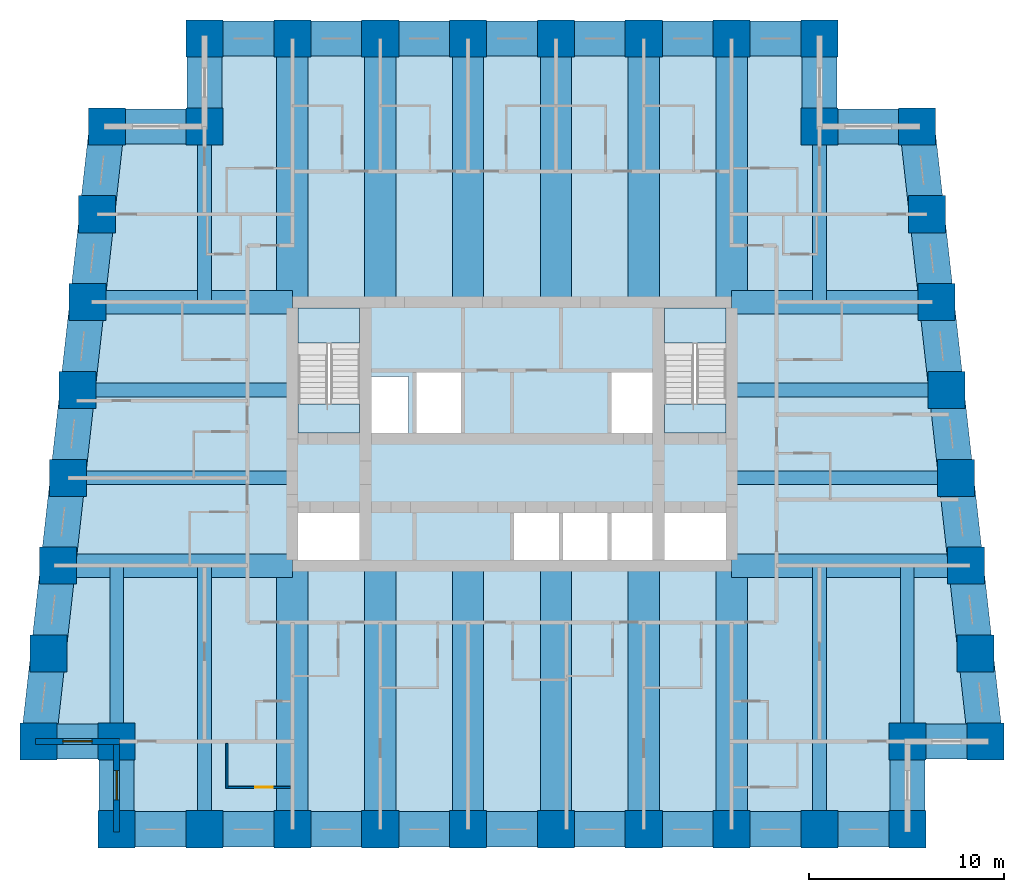
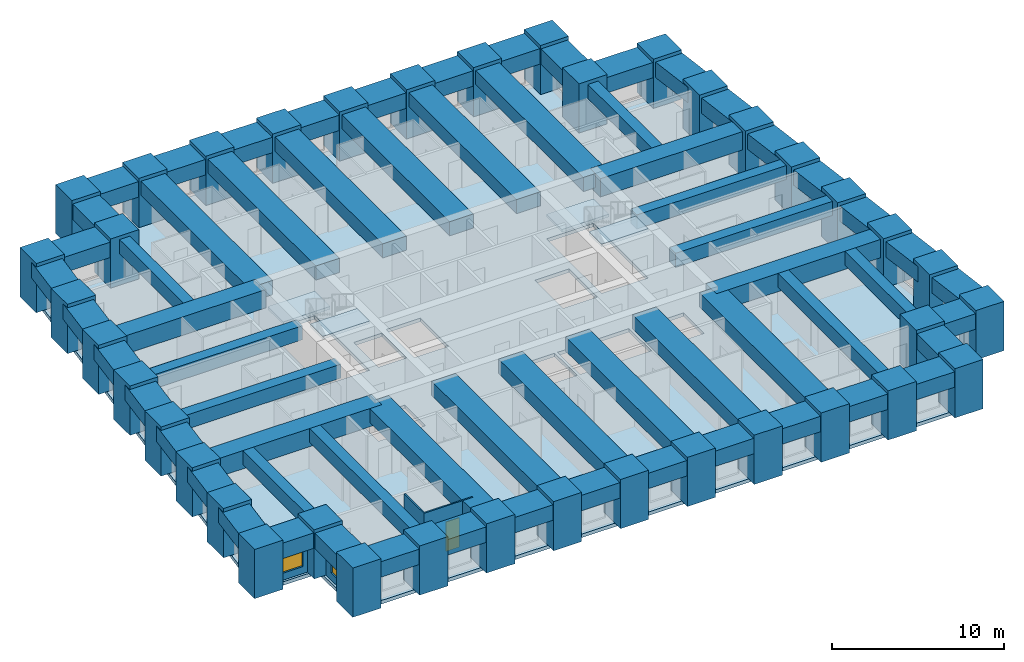
# One storey, part 1 of 8: 64 beams, 38 columns, 5 slabs, 4 walls, 2 windows, 1 door, 3 openings, 2 elements without a shape of their own.
"""IFC4 building model written with IfcOpenShell, lengths in metres."""

from ifc_helpers import new_model, si_unit, direction, frame, frame_2d, origin, origin_2d, place, context, subcontext, project, spatial, polyline, rectangle, outline, extrude, material, layer, layer_set, material_profile, profile_set, type_object, element, fill, aggregate, save


model = new_model("IFC4")

# Units and contexts
model_context = context("Model", 3, precision=1e-05, world=origin(), true_north=direction((0.0, 1.0)))
body_context = subcontext(model_context, "Body", "Model", "MODEL_VIEW")
ifc_project = project(units=[si_unit("LENGTHUNIT", "METRE"), si_unit("AREAUNIT", "SQUARE_METRE"), si_unit("VOLUMEUNIT", "CUBIC_METRE"), si_unit("PLANEANGLEUNIT", "RADIAN"), si_unit("MASSUNIT", "GRAM", prefix="KILO")], contexts=[model_context])

# Site, building, storey
site_placement = place(None, origin())
site = spatial("IfcSite", under=ifc_project, at=site_placement, CompositionType="ELEMENT")
building_placement = place(site_placement, origin())
building = spatial("IfcBuilding", under=site, at=building_placement, Name="Kilele Tower Hotel", CompositionType="ELEMENT")
storey_placement = place(building_placement, frame((0.0, 0.0, 93.39990234375)))
storey = spatial("IfcBuildingStorey", under=building, at=storey_placement, Name="L23", CompositionType="ELEMENT", Elevation=93.39990234375)

# Columns
ifc_material_1 = material(Name="Concrete C70/85", Category="concrete")
ifc_material_profile_1 = material_profile(ifc_material_1, rectangle(XDim=1.89990234375, YDim=1.89990234375, at=origin_2d()))
ifc_profile_set_1 = profile_set([ifc_material_profile_1], Name="Concrete C70/85")
column_type = type_object("IfcColumnType", Name="Tube column RC 1900x1900 C70/85", PredefinedType="COLUMN", material=ifc_profile_set_1)
for number, where, z_axis, x_axis, name in (
    (1, (0.5, 4.5, 0.0), (0.0, 0.0, 1.0), (1.0, 0.0, 0.0), "Column TC2 L23"),
    (2, (4.5, 4.5, 0.0), (0.0, 0.0, 1.0), (1.0, 0.0, 0.0), "Column TC2 L23"),
    (3, (4.5, 0.0, 0.0), (0.0, 0.0, 1.0), (1.0, 0.0, 0.0), "Column TC2 L23"),
    (4, (9.0, 0.0, 0.0), (0.0, 0.0, 1.0), (1.0, 0.0, 0.0), "Column TC2 L23"),
    (5, (13.5, 0.0, 0.0), (0.0, 0.0, 1.0), (1.0, 0.0, 0.0), "Column TC2 L23"),
    (6, (18.0, 0.0, 0.0), (0.0, 0.0, 1.0), (1.0, 0.0, 0.0), "Column TC2 L23"),
    (7, (22.5, 0.0, 0.0), (0.0, 0.0, 1.0), (1.0, 0.0, 0.0), "Column TC2 L23"),
    (8, (27.0, 0.0, 0.0), (0.0, 0.0, 1.0), (1.0, 0.0, 0.0), "Column TC2 L23"),
    (9, (31.5, 0.0, 0.0), (0.0, 0.0, 1.0), (1.0, 0.0, 0.0), "Column TC2 L23"),
    (10, (36.0, 0.0, 0.0), (0.0, 0.0, 1.0), (1.0, 0.0, 0.0), "Column TC2 L23"),
    (11, (40.5, 0.0, 0.0), (0.0, 0.0, 1.0), (1.0, 0.0, 0.0), "Column TC2 L23"),
    (12, (45.0, 0.0, 0.0), (0.0, 0.0, 1.0), (1.0, 0.0, 0.0), "Column TC2 L23"),
    (13, (45.0, 4.5, 0.0), (0.0, 0.0, 1.0), (1.0, 0.0, 0.0), "Column TC2 L23"),
    (14, (49.0, 4.5, 0.0), (0.0, 0.0, 1.0), (1.0, 0.0, 0.0), "Column TC2 L23"),
    (15, (48.5, 9.0, 0.0), (0.0, 0.0, 1.0), (1.0, 0.0, 0.0), "Column TC2 L23"),
    (16, (48.0, 13.5, 0.0), (0.0, 0.0, 1.0), (1.0, 0.0, 0.0), "Column TC2 L23"),
    (17, (47.5, 18.0, 0.0), (0.0, 0.0, 1.0), (1.0, 0.0, 0.0), "Column TC2 L23"),
    (18, (47.0, 22.5, 0.0), (0.0, 0.0, 1.0), (1.0, 0.0, 0.0), "Column TC2 L23"),
    (19, (46.5, 27.0, 0.0), (0.0, 0.0, 1.0), (1.0, 0.0, 0.0), "Column TC2 L23"),
    (20, (46.0, 31.5, 0.0), (0.0, 0.0, 1.0), (1.0, 0.0, 0.0), "Column TC2 L23"),
    (21, (45.5, 36.0, 0.0), (0.0, 0.0, 1.0), (1.0, 0.0, 0.0), "Column TC2 L23"),
    (22, (40.5, 36.0, 0.0), (0.0, 0.0, 1.0), (1.0, 0.0, 0.0), "Column TC2 L23"),
    (23, (40.5, 40.5, 0.0), (0.0, 0.0, 1.0), (1.0, 0.0, 0.0), "Column TC2 L23"),
    (24, (36.0, 40.5, 0.0), (0.0, 0.0, 1.0), (1.0, 0.0, 0.0), "Column TC2 L23"),
    (25, (31.5, 40.5, 0.0), (0.0, 0.0, 1.0), (1.0, 0.0, 0.0), "Column TC2 L23"),
    (26, (27.0, 40.5, 0.0), (0.0, 0.0, 1.0), (1.0, 0.0, 0.0), "Column TC2 L23"),
    (27, (22.5, 40.5, 0.0), (0.0, 0.0, 1.0), (1.0, 0.0, 0.0), "Column TC2 L23"),
    (28, (18.0, 40.5, 0.0), (0.0, 0.0, 1.0), (1.0, 0.0, 0.0), "Column TC2 L23"),
    (29, (13.5, 40.5, 0.0), (0.0, 0.0, 1.0), (1.0, 0.0, 0.0), "Column TC2 L23"),
    (30, (9.0, 40.5, 0.0), (0.0, 0.0, 1.0), (1.0, 0.0, 0.0), "Column TC2 L23"),
    (31, (9.0, 36.0, 0.0), (0.0, 0.0, 1.0), (1.0, 0.0, 0.0), "Column TC2 L23"),
    (32, (4.0, 36.0, 0.0), (0.0, 0.0, 1.0), (1.0, 0.0, 0.0), "Column TC2 L23"),
    (33, (3.5, 31.5, 0.0), (0.0, 0.0, 1.0), (1.0, 0.0, 0.0), "Column TC2 L23"),
    (34, (3.0, 27.0, 0.0), (0.0, 0.0, 1.0), (1.0, 0.0, 0.0), "Column TC2 L23"),
    (35, (2.5, 22.5, 0.0), (0.0, 0.0, 1.0), (1.0, 0.0, 0.0), "Column TC2 L23"),
    (36, (2.0, 18.0, 0.0), (0.0, 0.0, 1.0), (1.0, 0.0, 0.0), "Column TC2 L23"),
    (37, (1.5, 13.5, 0.0), (0.0, 0.0, 1.0), (1.0, 0.0, 0.0), "Column TC2 L23"),
    (38, (1.0, 9.0, 0.0), (0.0, 0.0, 1.0), (1.0, 0.0, 0.0), "Column TC2 L23"),
):
    element("IfcColumn", number, at=place(storey_placement, frame(where, z_axis=z_axis, x_axis=x_axis)), inside=storey, type_object=column_type, Name=name, PredefinedType="COLUMN", context=body_context, shape_type="SweptSolid", body=[
        extrude(rectangle(XDim=1.89990234375, YDim=1.89990234375, at=origin_2d()), origin(), (0.0, 0.0, 1.0), 3.5),
    ])

# Beams
ifc_material_2 = material(Name="Concrete C60/75", Category="concrete")
ifc_material_profile_2 = material_profile(ifc_material_2, rectangle(XDim=1.60009765625, YDim=1.0, at=origin_2d()))
ifc_profile_set_2 = profile_set([ifc_material_profile_2], Name="Concrete C60/75")
beam_type_1 = type_object("IfcBeamType", Name="Beam RC 1600x1000 C60/75", PredefinedType="BEAM", material=ifc_profile_set_2)
for number, where, z_axis, x_axis, name in (
    (39, (13.5, 0.0, 2.75), (0.0, 1.0, 0.0), (-1.0, 0.0, 0.0), "Beam BC1 level L24"),
    (40, (18.0, 0.0, 2.75), (0.0, 1.0, 0.0), (-1.0, 0.0, 0.0), "Beam BC1 level L24"),
    (41, (22.5, 0.0, 2.75), (0.0, 1.0, 0.0), (-1.0, 0.0, 0.0), "Beam BC1 level L24"),
    (42, (27.0, 0.0, 2.75), (0.0, 1.0, 0.0), (-1.0, 0.0, 0.0), "Beam BC1 level L24"),
    (43, (31.5, 0.0, 2.75), (0.0, 1.0, 0.0), (-1.0, 0.0, 0.0), "Beam BC1 level L24"),
    (44, (36.0, 0.0, 2.75), (0.0, 1.0, 0.0), (-1.0, 0.0, 0.0), "Beam BC1 level L24"),
    (45, (36.0, 40.5, 2.75), (0.0, -1.0, 0.0), (1.0, 0.0, 0.0), "Beam BC1 level L24"),
    (46, (31.5, 40.5, 2.75), (0.0, -1.0, 0.0), (1.0, 0.0, 0.0), "Beam BC1 level L24"),
    (47, (27.0, 40.5, 2.75), (0.0, -1.0, 0.0), (1.0, 0.0, 0.0), "Beam BC1 level L24"),
    (48, (22.5, 40.5, 2.75), (0.0, -1.0, 0.0), (1.0, 0.0, 0.0), "Beam BC1 level L24"),
    (49, (18.0, 40.5, 2.75), (0.0, -1.0, 0.0), (1.0, 0.0, 0.0), "Beam BC1 level L24"),
    (50, (13.5, 40.5, 2.75), (0.0, -1.0, 0.0), (1.0, 0.0, 0.0), "Beam BC1 level L24"),
):
    element("IfcBeam", number, at=place(storey_placement, frame(where, z_axis=z_axis, x_axis=x_axis)), inside=storey, type_object=beam_type_1, Name=name, PredefinedType="BEAM", context=body_context, shape_type="SweptSolid", body=[
        extrude(rectangle(XDim=1.60009765625, YDim=1.0, at=origin_2d()), origin(), (0.0, 0.0, 1.0), 13.5),
    ])
ifc_material_3 = material(Name="Concrete C60/75", Category="concrete")
ifc_material_profile_3 = material_profile(ifc_material_3, rectangle(XDim=0.699951171875, YDim=1.0, at=origin_2d()))
ifc_profile_set_3 = profile_set([ifc_material_profile_3], Name="Concrete C60/75")
beam_type_2 = type_object("IfcBeamType", Name="Beam RC 700x1000 C60/75", PredefinedType="BEAM", material=ifc_profile_set_3)
for number, where, z_axis, x_axis, name in (
    (51, (9.0, 0.0, 2.75), (0.0, 1.0, 0.0), (-1.0, 0.0, 0.0), "Beam B4 level L24"),
    (52, (40.5, 0.0, 2.75), (0.0, 1.0, 0.0), (-1.0, 0.0, 0.0), "Beam B4 level L24"),
):
    element("IfcBeam", number, at=place(storey_placement, frame(where, z_axis=z_axis, x_axis=x_axis)), inside=storey, type_object=beam_type_2, Name=name, PredefinedType="BEAM", context=body_context, shape_type="SweptSolid", body=[
        extrude(rectangle(XDim=0.699951171875, YDim=1.0, at=origin_2d()), origin(), (0.0, 0.0, 1.0), 13.5),
    ])
ifc_material_4 = material(Name="Concrete C60/75", Category="concrete")
ifc_material_profile_4 = material_profile(ifc_material_4, rectangle(XDim=0.699951171875, YDim=1.0, at=origin_2d()))
ifc_profile_set_4 = profile_set([ifc_material_profile_4], Name="Concrete C60/75")
beam_type_3 = type_object("IfcBeamType", Name="Beam RC 700x1000 C60/75 mid span", PredefinedType="BEAM", material=ifc_profile_set_4)
for number, where, z_axis, x_axis, name in (
    (53, (4.5, 4.5, 2.75), (0.0, 1.0, 0.0), (-1.0, 0.0, 0.0), "Beam B5 level L24"),
    (54, (45.0, 4.5, 2.75), (0.0, 1.0, 0.0), (-1.0, 0.0, 0.0), "Beam B5 level L24"),
):
    element("IfcBeam", number, at=place(storey_placement, frame(where, z_axis=z_axis, x_axis=x_axis)), inside=storey, type_object=beam_type_3, Name=name, PredefinedType="BEAM", context=body_context, shape_type="SweptSolid", body=[
        extrude(rectangle(XDim=0.699951171875, YDim=1.0, at=origin_2d()), origin(), (0.0, 0.0, 1.0), 9.0),
    ])
beam_1_placement = place(storey_placement, frame((47.5, 18.0, 2.75), z_axis=(-1.0, 0.0, 0.0), x_axis=(0.0, -1.0, 0.0)))
element("IfcBeam", 55, at=beam_1_placement, inside=storey, type_object=beam_type_3, Name="Beam B5 level L24", PredefinedType="BEAM", context=body_context, shape_type="SweptSolid", body=[
    extrude(rectangle(XDim=0.699951171875, YDim=1.0, at=origin_2d()), origin(), (0.0, 0.0, 1.0), 11.5),
])
beam_2_placement = place(storey_placement, frame((47.0, 22.5, 2.75), z_axis=(-1.0, 0.0, 0.0), x_axis=(0.0, -1.0, 0.0)))
element("IfcBeam", 56, at=beam_2_placement, inside=storey, type_object=beam_type_3, Name="Beam B5 level L24", PredefinedType="BEAM", context=body_context, shape_type="SweptSolid", body=[
    extrude(rectangle(XDim=0.699951171875, YDim=1.0, at=origin_2d()), origin(), (0.0, 0.0, 1.0), 11.0),
])
for number, where, z_axis, x_axis, name in (
    (57, (40.5, 36.0, 2.75), (0.0, -1.0, 0.0), (1.0, 0.0, 0.0), "Beam B5 level L24"),
    (58, (9.0, 36.0, 2.75), (0.0, -1.0, 0.0), (1.0, 0.0, 0.0), "Beam B5 level L24"),
):
    element("IfcBeam", number, at=place(storey_placement, frame(where, z_axis=z_axis, x_axis=x_axis)), inside=storey, type_object=beam_type_3, Name=name, PredefinedType="BEAM", context=body_context, shape_type="SweptSolid", body=[
        extrude(rectangle(XDim=0.699951171875, YDim=1.0, at=origin_2d()), origin(), (0.0, 0.0, 1.0), 9.0),
    ])
beam_3_placement = place(storey_placement, frame((2.5, 22.5, 2.75), z_axis=(1.0, 0.0, 0.0), x_axis=(0.0, 1.0, 0.0)))
element("IfcBeam", 59, at=beam_3_placement, inside=storey, type_object=beam_type_3, Name="Beam B5 level L24", PredefinedType="BEAM", context=body_context, shape_type="SweptSolid", body=[
    extrude(rectangle(XDim=0.699951171875, YDim=1.0, at=origin_2d()), origin(), (0.0, 0.0, 1.0), 11.0),
])
beam_4_placement = place(storey_placement, frame((2.0, 18.0, 2.75), z_axis=(1.0, 0.0, 0.0), x_axis=(0.0, 1.0, 0.0)))
element("IfcBeam", 60, at=beam_4_placement, inside=storey, type_object=beam_type_3, Name="Beam B5 level L24", PredefinedType="BEAM", context=body_context, shape_type="SweptSolid", body=[
    extrude(rectangle(XDim=0.699951171875, YDim=1.0, at=origin_2d()), origin(), (0.0, 0.0, 1.0), 11.5),
])
ifc_material_5 = material(Name="Concrete C60/75", Category="concrete")
ifc_material_profile_5 = material_profile(ifc_material_5, rectangle(XDim=1.199951171875, YDim=1.300048828125, at=origin_2d()))
ifc_profile_set_5 = profile_set([ifc_material_profile_5], Name="Concrete C60/75")
beam_type_4 = type_object("IfcBeamType", Name="Girder RC 1200x1300 C60/75", PredefinedType="BEAM", material=ifc_profile_set_5)
for number, where, z_axis, x_axis, name in (
    (61, (48.0, 13.5, 2.60009765625), (-1.0, 0.0, 0.0), (0.0, -1.0, 0.0), "Girder G1 level L24"),
    (62, (1.5, 13.5, 2.60009765625), (1.0, 0.0, 0.0), (0.0, 1.0, 0.0), "Girder G1 level L24"),
):
    element("IfcBeam", number, at=place(storey_placement, frame(where, z_axis=z_axis, x_axis=x_axis)), inside=storey, type_object=beam_type_4, Name=name, PredefinedType="BEAM", context=body_context, shape_type="SweptSolid", body=[
        extrude(rectangle(XDim=1.199951171875, YDim=1.300048828125, at=origin_2d()), origin(), (0.0, 0.0, 1.0), 12.0),
    ])
ifc_material_6 = material(Name="Concrete C60/75", Category="concrete")
ifc_material_profile_6 = material_profile(ifc_material_6, rectangle(XDim=1.199951171875, YDim=1.300048828125, at=origin_2d()))
ifc_profile_set_6 = profile_set([ifc_material_profile_6], Name="Concrete C60/75")
beam_type_5 = type_object("IfcBeamType", Name="Girder RC 1200x1300 C60/75 mid span", PredefinedType="BEAM", material=ifc_profile_set_6)
for number, where, z_axis, x_axis, name in (
    (63, (46.5, 27.0, 2.60009765625), (-1.0, 0.0, 0.0), (0.0, -1.0, 0.0), "Girder G3 level L24"),
    (64, (3.0, 27.0, 2.60009765625), (1.0, 0.0, 0.0), (0.0, 1.0, 0.0), "Girder G3 level L24"),
):
    element("IfcBeam", number, at=place(storey_placement, frame(where, z_axis=z_axis, x_axis=x_axis)), inside=storey, type_object=beam_type_5, Name=name, PredefinedType="BEAM", context=body_context, shape_type="SweptSolid", body=[
        extrude(rectangle(XDim=1.199951171875, YDim=1.300048828125, at=origin_2d()), origin(), (0.0, 0.0, 1.0), 10.5),
    ])
ifc_material_7 = material(Name="Concrete C60/75", Category="concrete")
ifc_material_profile_7 = material_profile(ifc_material_7, rectangle(XDim=1.800048828125, YDim=1.10009765625, at=origin_2d()))
ifc_profile_set_7 = profile_set([ifc_material_profile_7], Name="Concrete C60/75")
beam_type_6 = type_object("IfcBeamType", Name="Spandrel RC 1800x1100 C60/75", PredefinedType="SPANDREL", material=ifc_profile_set_7)
beam_5_placement = place(storey_placement, frame((0.5, 4.5, 2.7001953125), z_axis=(1.0, 0.0, 0.0), x_axis=(0.0, 1.0, 0.0)))
element("IfcBeam", 65, at=beam_5_placement, inside=storey, type_object=beam_type_6, Name="Spandrel SP4 level L24", PredefinedType="SPANDREL", context=body_context, shape_type="SweptSolid", body=[
    extrude(rectangle(XDim=1.800048828125, YDim=1.10009765625, at=origin_2d()), origin(), (0.0, 0.0, 1.0), 4.0),
])
for number, where, z_axis, x_axis, name in (
    (66, (4.5, 4.5, 2.7001953125), (0.0, -1.0, 0.0), (1.0, 0.0, 0.0), "Spandrel SP4 level L24"),
    (67, (4.5, 0.0, 2.7001953125), (1.0, 0.0, 0.0), (0.0, 1.0, 0.0), "Spandrel SP4 level L24"),
    (68, (9.0, 0.0, 2.7001953125), (1.0, 0.0, 0.0), (0.0, 1.0, 0.0), "Spandrel SP4 level L24"),
    (69, (13.5, 0.0, 2.7001953125), (1.0, 0.0, 0.0), (0.0, 1.0, 0.0), "Spandrel SP4 level L24"),
    (70, (18.0, 0.0, 2.7001953125), (1.0, 0.0, 0.0), (0.0, 1.0, 0.0), "Spandrel SP4 level L24"),
    (71, (22.5, 0.0, 2.7001953125), (1.0, 0.0, 0.0), (0.0, 1.0, 0.0), "Spandrel SP4 level L24"),
    (72, (27.0, 0.0, 2.7001953125), (1.0, 0.0, 0.0), (0.0, 1.0, 0.0), "Spandrel SP4 level L24"),
    (73, (31.5, 0.0, 2.7001953125), (1.0, 0.0, 0.0), (0.0, 1.0, 0.0), "Spandrel SP4 level L24"),
    (74, (36.0, 0.0, 2.7001953125), (1.0, 0.0, 0.0), (0.0, 1.0, 0.0), "Spandrel SP4 level L24"),
    (75, (40.5, 0.0, 2.7001953125), (1.0, 0.0, 0.0), (0.0, 1.0, 0.0), "Spandrel SP4 level L24"),
    (76, (45.0, 0.0, 2.7001953125), (0.0, 1.0, 0.0), (-1.0, 0.0, 0.0), "Spandrel SP4 level L24"),
):
    element("IfcBeam", number, at=place(storey_placement, frame(where, z_axis=z_axis, x_axis=x_axis)), inside=storey, type_object=beam_type_6, Name=name, PredefinedType="SPANDREL", context=body_context, shape_type="SweptSolid", body=[
        extrude(rectangle(XDim=1.800048828125, YDim=1.10009765625, at=origin_2d()), origin(), (0.0, 0.0, 1.0), 4.5),
    ])
beam_6_placement = place(storey_placement, frame((45.0, 4.5, 2.7001953125), z_axis=(1.0, 0.0, 0.0), x_axis=(0.0, 1.0, 0.0)))
element("IfcBeam", 77, at=beam_6_placement, inside=storey, type_object=beam_type_6, Name="Spandrel SP4 level L24", PredefinedType="SPANDREL", context=body_context, shape_type="SweptSolid", body=[
    extrude(rectangle(XDim=1.800048828125, YDim=1.10009765625, at=origin_2d()), origin(), (0.0, 0.0, 1.0), 4.0),
])
for number, where, z_axis, x_axis, name in (
    (78, (49.0, 4.5, 2.7001953125), (-0.110431526075, 0.993883734674, 0.0), (-0.993883734674, -0.110431526075, 0.0), "Spandrel SP4 level L24"),
    (79, (48.5, 9.0, 2.7001953125), (-0.110431526075, 0.993883734674, 0.0), (-0.993883734674, -0.110431526075, 0.0), "Spandrel SP4 level L24"),
    (80, (48.0, 13.5, 2.7001953125), (-0.110431526075, 0.993883734674, 0.0), (-0.993883734674, -0.110431526075, 0.0), "Spandrel SP4 level L24"),
    (81, (47.5, 18.0, 2.7001953125), (-0.110431526075, 0.993883734674, 0.0), (-0.993883734674, -0.110431526075, 0.0), "Spandrel SP4 level L24"),
    (82, (47.0, 22.5, 2.7001953125), (-0.110431526075, 0.993883734674, 0.0), (-0.993883734674, -0.110431526075, 0.0), "Spandrel SP4 level L24"),
    (83, (46.5, 27.0, 2.7001953125), (-0.110431526075, 0.993883734674, 0.0), (-0.993883734674, -0.110431526075, 0.0), "Spandrel SP4 level L24"),
    (84, (46.0, 31.5, 2.7001953125), (-0.110431526075, 0.993883734674, 0.0), (-0.993883734674, -0.110431526075, 0.0), "Spandrel SP4 level L24"),
):
    element("IfcBeam", number, at=place(storey_placement, frame(where, z_axis=z_axis, x_axis=x_axis)), inside=storey, type_object=beam_type_6, Name=name, PredefinedType="SPANDREL", context=body_context, shape_type="SweptSolid", body=[
        extrude(rectangle(XDim=1.800048828125, YDim=1.10009765625, at=origin_2d()), origin(), (0.0, 0.0, 1.0), 4.527587890625),
    ])
beam_7_placement = place(storey_placement, frame((45.5, 36.0, 2.7001953125), z_axis=(-1.0, 0.0, 0.0), x_axis=(0.0, -1.0, 0.0)))
element("IfcBeam", 85, at=beam_7_placement, inside=storey, type_object=beam_type_6, Name="Spandrel SP4 level L24", PredefinedType="SPANDREL", context=body_context, shape_type="SweptSolid", body=[
    extrude(rectangle(XDim=1.800048828125, YDim=1.10009765625, at=origin_2d()), origin(), (0.0, 0.0, 1.0), 5.0),
])
for number, where, z_axis, x_axis, name in (
    (86, (40.5, 36.0, 2.7001953125), (0.0, 1.0, 0.0), (-1.0, 0.0, 0.0), "Spandrel SP4 level L24"),
    (87, (40.5, 40.5, 2.7001953125), (-1.0, 0.0, 0.0), (0.0, -1.0, 0.0), "Spandrel SP4 level L24"),
    (88, (36.0, 40.5, 2.7001953125), (-1.0, 0.0, 0.0), (0.0, -1.0, 0.0), "Spandrel SP4 level L24"),
    (89, (31.5, 40.5, 2.7001953125), (-1.0, 0.0, 0.0), (0.0, -1.0, 0.0), "Spandrel SP4 level L24"),
    (90, (27.0, 40.5, 2.7001953125), (-1.0, 0.0, 0.0), (0.0, -1.0, 0.0), "Spandrel SP4 level L24"),
    (91, (22.5, 40.5, 2.7001953125), (-1.0, 0.0, 0.0), (0.0, -1.0, 0.0), "Spandrel SP4 level L24"),
    (92, (18.0, 40.5, 2.7001953125), (-1.0, 0.0, 0.0), (0.0, -1.0, 0.0), "Spandrel SP4 level L24"),
    (93, (13.5, 40.5, 2.7001953125), (-1.0, 0.0, 0.0), (0.0, -1.0, 0.0), "Spandrel SP4 level L24"),
    (94, (9.0, 40.5, 2.7001953125), (0.0, -1.0, 0.0), (1.0, 0.0, 0.0), "Spandrel SP4 level L24"),
):
    element("IfcBeam", number, at=place(storey_placement, frame(where, z_axis=z_axis, x_axis=x_axis)), inside=storey, type_object=beam_type_6, Name=name, PredefinedType="SPANDREL", context=body_context, shape_type="SweptSolid", body=[
        extrude(rectangle(XDim=1.800048828125, YDim=1.10009765625, at=origin_2d()), origin(), (0.0, 0.0, 1.0), 4.5),
    ])
beam_8_placement = place(storey_placement, frame((9.0, 36.0, 2.7001953125), z_axis=(-1.0, 0.0, 0.0), x_axis=(0.0, -1.0, 0.0)))
element("IfcBeam", 95, at=beam_8_placement, inside=storey, type_object=beam_type_6, Name="Spandrel SP4 level L24", PredefinedType="SPANDREL", context=body_context, shape_type="SweptSolid", body=[
    extrude(rectangle(XDim=1.800048828125, YDim=1.10009765625, at=origin_2d()), origin(), (0.0, 0.0, 1.0), 5.0),
])
for number, where, z_axis, x_axis, name in (
    (96, (4.0, 36.0, 2.7001953125), (-0.110431526075, -0.993883734674, 0.0), (0.993883734674, -0.110431526075, 0.0), "Spandrel SP4 level L24"),
    (97, (3.5, 31.5, 2.7001953125), (-0.110431526075, -0.993883734674, 0.0), (0.993883734674, -0.110431526075, 0.0), "Spandrel SP4 level L24"),
    (98, (3.0, 27.0, 2.7001953125), (-0.110431526075, -0.993883734674, 0.0), (0.993883734674, -0.110431526075, 0.0), "Spandrel SP4 level L24"),
    (99, (2.5, 22.5, 2.7001953125), (-0.110431526075, -0.993883734674, 0.0), (0.993883734674, -0.110431526075, 0.0), "Spandrel SP4 level L24"),
    (100, (2.0, 18.0, 2.7001953125), (-0.110431526075, -0.993883734674, 0.0), (0.993883734674, -0.110431526075, 0.0), "Spandrel SP4 level L24"),
    (101, (1.5, 13.5, 2.7001953125), (-0.110431526075, -0.993883734674, 0.0), (0.993883734674, -0.110431526075, 0.0), "Spandrel SP4 level L24"),
    (102, (1.0, 9.0, 2.7001953125), (-0.110431526075, -0.993883734674, 0.0), (0.993883734674, -0.110431526075, 0.0), "Spandrel SP4 level L24"),
):
    element("IfcBeam", number, at=place(storey_placement, frame(where, z_axis=z_axis, x_axis=x_axis)), inside=storey, type_object=beam_type_6, Name=name, PredefinedType="SPANDREL", context=body_context, shape_type="SweptSolid", body=[
        extrude(rectangle(XDim=1.800048828125, YDim=1.10009765625, at=origin_2d()), origin(), (0.0, 0.0, 1.0), 4.527587890625),
    ])

# Slab
ifc_material_8 = material(Name="Concrete C60/75", Category="concrete")
ifc_layer_1 = layer(ifc_material_8, 0.25)
ifc_layer_set_1 = layer_set([ifc_layer_1], Name="Concrete C60/75")
slab_type_1 = type_object("IfcSlabType", Name="Floor slab 250", PredefinedType="FLOOR", material=ifc_layer_set_1)
slab_1_placement = place(storey_placement, frame((0.0, 0.0, -0.25)))
element("IfcSlab", 103, at=slab_1_placement, inside=storey, type_object=slab_type_1, Name="Floor slab L23", PredefinedType="FLOOR", context=body_context, shape_type="SweptSolid", body=[
    extrude(outline(polyline([(8.699951171875, 36.300048828125), (8.699951171875, 40.800048828125), (40.800048828125, 40.800048828125), (40.800048828125, 36.300048828125), (45.7685546875, 36.300048828125), (49.335205078125, 4.199951171875), (45.300048828125, 4.199951171875), (45.300048828125, -0.300048828125), (4.199951171875, -0.300048828125), (4.199951171875, 4.199951171875), (0.164794921875, 4.199951171875), (3.7314453125, 36.300048828125), (8.699951171875, 36.300048828125)]), holes=[polyline([(16.949951171875, 16.199951171875), (13.800048828125, 16.199951171875), (13.800048828125, 13.800048828125), (16.949951171875, 13.800048828125), (16.949951171875, 16.199951171875)]), polyline([(35.699951171875, 16.199951171875), (32.550048828125, 16.199951171875), (32.550048828125, 13.800048828125), (35.699951171875, 13.800048828125), (35.699951171875, 16.199951171875)]), polyline([(27.14990234375, 16.39990234375), (24.85009765625, 16.39990234375), (24.85009765625, 13.800048828125), (27.14990234375, 13.800048828125), (27.14990234375, 16.39990234375)]), polyline([(29.64990234375, 13.800048828125), (29.64990234375, 16.39990234375), (27.35009765625, 16.39990234375), (27.35009765625, 13.800048828125), (29.64990234375, 13.800048828125)]), polyline([(32.14990234375, 13.800048828125), (32.14990234375, 16.39990234375), (29.85009765625, 16.39990234375), (29.85009765625, 13.800048828125), (32.14990234375, 13.800048828125)]), polyline([(19.449951171875, 23.199951171875), (17.550048828125, 23.199951171875), (17.550048828125, 20.300048828125), (19.449951171875, 20.300048828125), (19.449951171875, 23.199951171875)]), polyline([(22.14990234375, 23.39990234375), (19.85009765625, 23.39990234375), (19.85009765625, 20.10009765625), (22.14990234375, 20.10009765625), (22.14990234375, 23.39990234375)]), polyline([(32.14990234375, 23.39990234375), (29.85009765625, 23.39990234375), (29.85009765625, 20.10009765625), (32.14990234375, 20.10009765625), (32.14990234375, 23.39990234375)]), polyline([(16.949951171875, 20.300048828125), (16.949951171875, 26.699951171875), (13.800048828125, 26.699951171875), (13.800048828125, 20.300048828125), (16.949951171875, 20.300048828125)]), polyline([(35.699951171875, 20.300048828125), (35.699951171875, 26.699951171875), (32.550048828125, 26.699951171875), (32.550048828125, 20.300048828125), (35.699951171875, 20.300048828125)])]), origin(), (0.0, 0.0, 1.0), 0.25),
])

# Stair, slabs
ifc_material_9 = material(Name="Precast concrete C40/50", Category="concrete")
stair_type = type_object("IfcStairType", Name="Stair 1475 x 3500", PredefinedType="HALF_TURN_STAIR", material=ifc_material_9)
stair_1_placement = place(storey_placement, origin())
stair_1 = element("IfcStair", 104, at=stair_1_placement, inside=storey, type_object=stair_type, Name="Stair 1 L23", PredefinedType="HALF_TURN_STAIR")
ifc_material_10 = material(Name="Precast concrete C40/50", Category="concrete")
ifc_layer_2 = layer(ifc_material_10, 0.199951171875)
ifc_layer_set_2 = layer_set([ifc_layer_2], Name="Precast concrete C40/50")
slab_type_2 = type_object("IfcSlabType", Name="Stair landing 200", PredefinedType="LANDING", material=ifc_layer_set_2)
slab_2_placement = place(storey_placement, frame((0.0, 0.0, 1.550048828125)))
slab_2 = element("IfcSlab", 105, at=slab_2_placement, type_object=slab_type_2, Name="ST1 landing 1", PredefinedType="LANDING", context=body_context, shape_type="SweptSolid", body=[
    extrude(outline(polyline([(13.800048828125, 24.89501953125), (16.949951171875, 24.89501953125), (16.949951171875, 26.699951171875), (13.800048828125, 26.699951171875), (13.800048828125, 24.89501953125)])), origin(), (0.0, 0.0, 1.0), 0.199951171875),
])
slab_3_placement = place(storey_placement, frame((0.0, 0.0, 3.300048828125)))
slab_3 = element("IfcSlab", 106, at=slab_3_placement, type_object=slab_type_2, Name="ST1 landing 2", PredefinedType="LANDING", context=body_context, shape_type="SweptSolid", body=[
    extrude(outline(polyline([(13.800048828125, 20.300048828125), (16.949951171875, 20.300048828125), (16.949951171875, 21.77490234375), (13.800048828125, 21.77490234375), (13.800048828125, 20.300048828125)])), origin(), (0.0, 0.0, 1.0), 0.199951171875),
])
aggregate(stair_1, [slab_2, slab_3])

stair_2_placement = place(storey_placement, origin())
stair_2 = element("IfcStair", 107, at=stair_2_placement, inside=storey, type_object=stair_type, Name="Stair 2 L23", PredefinedType="HALF_TURN_STAIR")
slab_4_placement = place(storey_placement, frame((0.0, 0.0, 1.550048828125)))
slab_4 = element("IfcSlab", 108, at=slab_4_placement, type_object=slab_type_2, Name="ST2 landing 1", PredefinedType="LANDING", context=body_context, shape_type="SweptSolid", body=[
    extrude(outline(polyline([(32.550048828125, 24.89501953125), (35.699951171875, 24.89501953125), (35.699951171875, 26.699951171875), (32.550048828125, 26.699951171875), (32.550048828125, 24.89501953125)])), origin(), (0.0, 0.0, 1.0), 0.199951171875),
])
slab_5_placement = place(storey_placement, frame((0.0, 0.0, 3.300048828125)))
slab_5 = element("IfcSlab", 109, at=slab_5_placement, type_object=slab_type_2, Name="ST2 landing 2", PredefinedType="LANDING", context=body_context, shape_type="SweptSolid", body=[
    extrude(outline(polyline([(32.550048828125, 20.300048828125), (35.699951171875, 20.300048828125), (35.699951171875, 21.77490234375), (32.550048828125, 21.77490234375), (32.550048828125, 20.300048828125)])), origin(), (0.0, 0.0, 1.0), 0.199951171875),
])
aggregate(stair_2, [slab_4, slab_5])

# Wall
ifc_material_11 = material(Name="Moisture-resistant board")
ifc_layer_3 = layer(ifc_material_11, 0.10009765625)
ifc_layer_set_3 = layer_set([ifc_layer_3], Name="Moisture-resistant board")
wall_type_1 = type_object("IfcWallType", Name="Bathroom partition 100", PredefinedType="PLUMBINGWALL", material=ifc_layer_set_3)
wall_1_placement = place(storey_placement, frame((10.14990234375, 4.39990234375, 0.0), z_axis=(0.0, 0.0, 1.0), x_axis=(0.0, -1.0, 0.0)))
element("IfcWall", 110, at=wall_1_placement, inside=storey, type_object=wall_type_1, Name="Bathroom partition 100 L23", PredefinedType="PLUMBINGWALL", context=body_context, shape_type="SweptSolid", body=[
    extrude(rectangle(XDim=2.2998046875, YDim=0.10009765625, at=frame_2d((1.14990234375, 0.0))), origin(), (0.0, 0.0, 1.0), 3.25),
])

# Wall, opening, door
wall_2_placement = place(storey_placement, frame((13.39990234375, 2.14990234375, 0.0), z_axis=(0.0, 0.0, 1.0), x_axis=(-1.0, 0.0, 0.0)))
wall_2 = element("IfcWall", 111, at=wall_2_placement, inside=storey, type_object=wall_type_1, Name="Bathroom partition 100 L23", PredefinedType="PLUMBINGWALL", context=body_context, shape_type="SweptSolid", body=[
    extrude(rectangle(XDim=3.2998046875, YDim=0.10009765625, at=frame_2d((1.64990234375, 0.0))), origin(), (0.0, 0.0, 1.0), 3.25),
])
opening_1_placement = place(wall_2_placement, frame((0.89990234375, 0.0, 0.0)))
opening_1 = element("IfcOpeningElement", 112, at=opening_1_placement, cuts=wall_2, Name="Opening D2A", PredefinedType="OPENING", context=body_context, shape_type="SweptSolid", body=[
    extrude(rectangle(XDim=0.89990234375, YDim=2.10009765625, at=frame_2d((0.449951171875, 1.050048828125))), frame((0.0, 0.06005859375, 0.0), z_axis=(0.0, -1.0, 0.0), x_axis=(1.0, 0.0, 0.0)), (0.0, 0.0, 1.0), 0.1201171875),
])
ifc_material_12 = material(Name="Timber door leaf in hardwood frame", Category="wood")
door_type = type_object("IfcDoorType", Name="Bathroom door 900", OperationType="SINGLE_SWING_LEFT", PredefinedType="DOOR", material=ifc_material_12)
door_placement = place(opening_1_placement, origin())
door = element("IfcDoor", 113, at=door_placement, inside=storey, type_object=door_type, Name="Bathroom door 2319B", OperationType="SINGLE_SWING_LEFT", OverallHeight=2.10009765625, OverallWidth=0.89990234375, PredefinedType="DOOR", context=body_context, shape_type="SweptSolid", body=[
    extrude(rectangle(XDim=0.89990234375, YDim=2.10009765625, at=frame_2d((0.449951171875, 1.050048828125))), frame((0.0, 0.02490234375, 0.0), z_axis=(0.0, -1.0, 0.0), x_axis=(1.0, 0.0, 0.0)), (0.0, 0.0, 1.0), 0.050048828125),
])
fill(opening_1, door)

# Wall, opening, window
ifc_material_13 = material(Name="Concrete C40/50 precast", Category="concrete")
ifc_layer_4 = layer(ifc_material_13, 0.260009765625, Name="Precast backing", Category="LoadBearing")
ifc_material_14 = material(Name="Reconstituted stone finish", Category="masonry")
ifc_layer_5 = layer(ifc_material_14, 0.0400390625, Name="Face mix", Category="Finish")
ifc_layer_set_4 = layer_set([ifc_layer_4, ifc_layer_5], Name="Precast concrete C40/50, reconstituted stone finish")
wall_type_2 = type_object("IfcWallType", Name="Precast stone facade wall 300", PredefinedType="STANDARD", material=ifc_layer_set_4)
wall_3_placement = place(storey_placement, frame((0.35009765625, 4.5, 0.0), z_axis=(0.0, 0.0, 1.0), x_axis=(1.0, 0.0, 0.0)))
wall_3 = element("IfcWall", 114, at=wall_3_placement, inside=storey, type_object=wall_type_2, Name="Facade wall L23 edge 1", PredefinedType="STANDARD", context=body_context, shape_type="SweptSolid", body=[
    extrude(rectangle(XDim=4.2998046875, YDim=0.300048828125, at=frame_2d((2.14990234375, 0.0))), origin(), (0.0, 0.0, 1.0), 2.150146484375),
])
opening_2_placement = place(wall_3_placement, frame((1.39990234375, 0.0, 0.5)))
opening_2 = element("IfcOpeningElement", 115, at=opening_2_placement, cuts=wall_3, Name="Opening W2", PredefinedType="OPENING", context=body_context, shape_type="SweptSolid", body=[
    extrude(rectangle(XDim=1.5, YDim=1.5, at=frame_2d((0.75, 0.75))), frame((0.0, 0.159912109375, 0.0), z_axis=(0.0, -1.0, 0.0), x_axis=(1.0, 0.0, 0.0)), (0.0, 0.0, 1.0), 0.320068359375),
])
ifc_material_15 = material(Name="Aluminium frame, clear double glazing", Category="aluminium")
window_type = type_object("IfcWindowType", Name="Window W2 1500 x 1500", PartitioningType="SINGLE_PANEL", PredefinedType="WINDOW", material=ifc_material_15)
window_1_placement = place(opening_2_placement, origin())
window_1 = element("IfcWindow", 116, at=window_1_placement, inside=storey, type_object=window_type, Name="Window L23", OverallHeight=1.5, OverallWidth=1.5, PartitioningType="SINGLE_PANEL", PredefinedType="WINDOW", context=body_context, shape_type="SweptSolid", body=[
    extrude(rectangle(XDim=1.5, YDim=1.5, at=frame_2d((0.75, 0.75))), frame((0.0, 0.030029296875, 0.0), z_axis=(0.0, -1.0, 0.0), x_axis=(1.0, 0.0, 0.0)), (0.0, 0.0, 1.0), 0.06005859375),
])
fill(opening_2, window_1)

wall_4_placement = place(storey_placement, frame((4.5, 4.64990234375, 0.0), z_axis=(0.0, 0.0, 1.0), x_axis=(0.0, -1.0, 0.0)))
wall_4 = element("IfcWall", 117, at=wall_4_placement, inside=storey, type_object=wall_type_2, Name="Facade wall L23 edge 2", PredefinedType="STANDARD", context=body_context, shape_type="SweptSolid", body=[
    extrude(rectangle(XDim=4.7998046875, YDim=0.300048828125, at=frame_2d((2.39990234375, 0.0))), origin(), (0.0, 0.0, 1.0), 2.150146484375),
])
opening_3_placement = place(wall_4_placement, frame((1.64990234375, 0.0, 0.5)))
opening_3 = element("IfcOpeningElement", 118, at=opening_3_placement, cuts=wall_4, Name="Opening W2", PredefinedType="OPENING", context=body_context, shape_type="SweptSolid", body=[
    extrude(rectangle(XDim=1.5, YDim=1.5, at=frame_2d((0.75, 0.75))), frame((0.0, 0.159912109375, 0.0), z_axis=(0.0, -1.0, 0.0), x_axis=(1.0, 0.0, 0.0)), (0.0, 0.0, 1.0), 0.320068359375),
])
window_2_placement = place(opening_3_placement, origin())
window_2 = element("IfcWindow", 119, at=window_2_placement, inside=storey, type_object=window_type, Name="Window L23", OverallHeight=1.5, OverallWidth=1.5, PartitioningType="SINGLE_PANEL", PredefinedType="WINDOW", context=body_context, shape_type="SweptSolid", body=[
    extrude(rectangle(XDim=1.5, YDim=1.5, at=frame_2d((0.75, 0.75))), frame((0.0, 0.030029296875, 0.0), z_axis=(0.0, -1.0, 0.0), x_axis=(1.0, 0.0, 0.0)), (0.0, 0.0, 1.0), 0.06005859375),
])
fill(opening_3, window_2)

save(model, "model.ifc")
